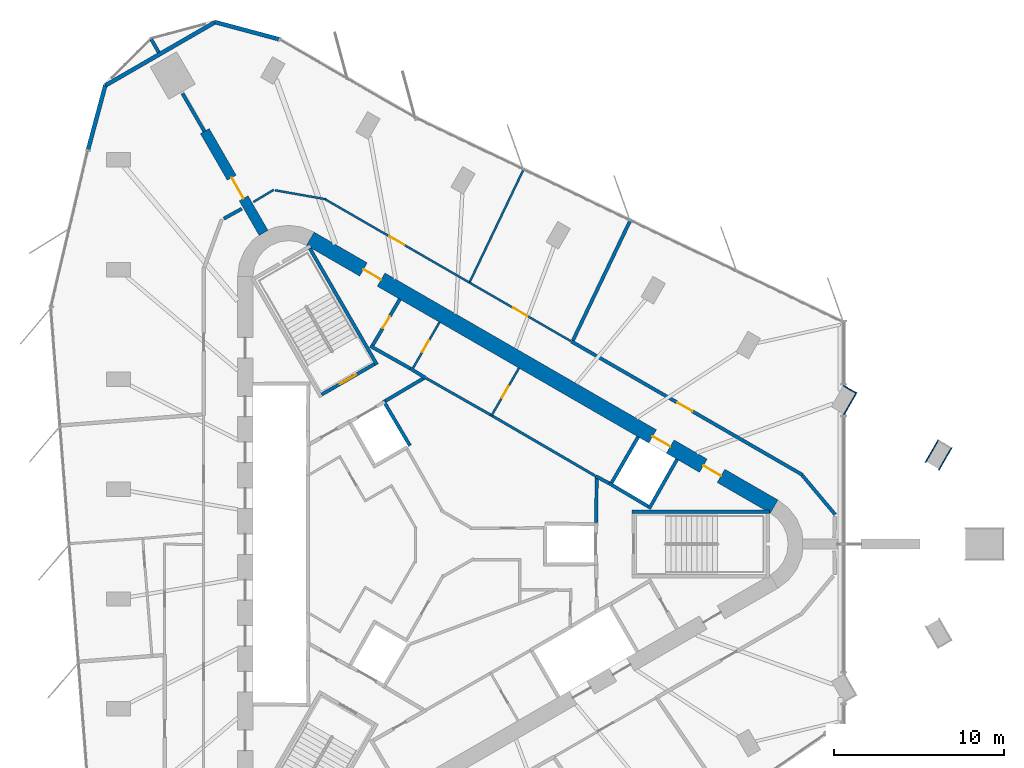
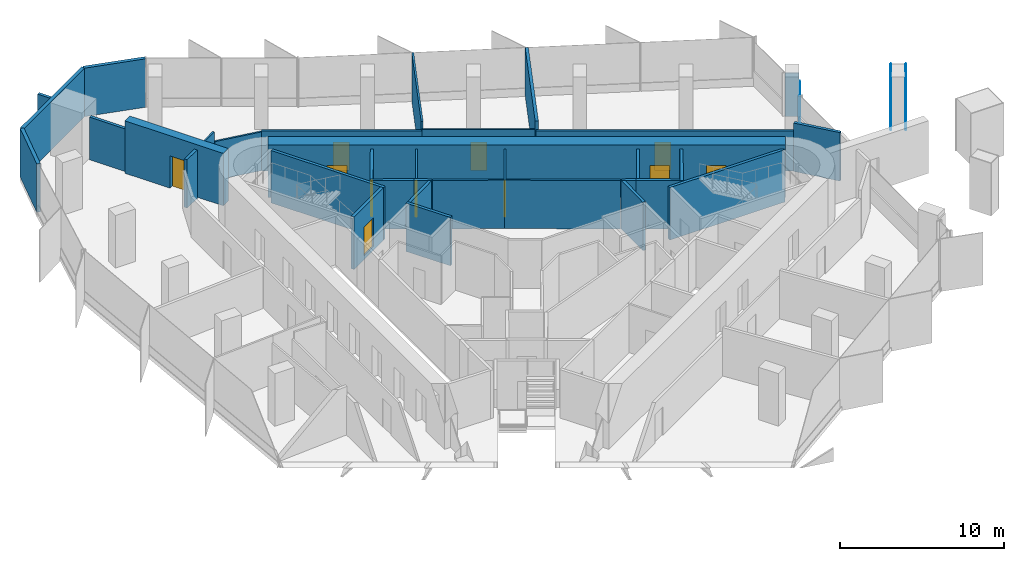
# One storey, part 10 of 12: 37 walls, 11 doors, 11 openings.
"""IFC4 building model written with IfcOpenShell, lengths in metres."""

from ifc_helpers import new_model, si_unit, direction, frame, frame_2d, origin, place, context, subcontext, project, spatial, rectangle, extrude, material, layer, layer_set, type_object, element, fill, save


model = new_model("IFC4")

# Units and contexts
model_context = context("Model", 3, precision=1e-05, world=origin(), true_north=direction((0.0, 1.0)))
body_context = subcontext(model_context, "Body", "Model", "MODEL_VIEW")
ifc_project = project(units=[si_unit("LENGTHUNIT", "METRE"), si_unit("AREAUNIT", "SQUARE_METRE"), si_unit("VOLUMEUNIT", "CUBIC_METRE"), si_unit("PLANEANGLEUNIT", "RADIAN"), si_unit("MASSUNIT", "GRAM", prefix="KILO")], contexts=[model_context])

# Site, building, storey
site_placement = place(None, origin())
site = spatial("IfcSite", under=ifc_project, at=site_placement, CompositionType="ELEMENT")
building_placement = place(site_placement, origin())
building = spatial("IfcBuilding", under=site, at=building_placement, Name="Tanit Gate Tower", CompositionType="ELEMENT")
storey_placement = place(building_placement, frame((0.0, 0.0, 376.699951171875)))
storey = spatial("IfcBuildingStorey", under=building, at=storey_placement, Name="L86", CompositionType="ELEMENT", Elevation=376.699951171875)

# Wall, opening, door
ifc_material_1 = material(Name="Concrete C40/50", Category="concrete")
ifc_layer_1 = layer(ifc_material_1, 0.60009765625)
ifc_layer_set_1 = layer_set([ifc_layer_1], Name="BUTTRESS FIN 600 C40/50")
wall_type_1 = type_object("IfcWallType", Name="BUTTRESS FIN 600 C40/50", PredefinedType="SHEAR", material=ifc_layer_set_1)
wall_1_placement = place(storey_placement, frame((-10.574951171875, 18.31640625, 0.0), z_axis=(0.0, 0.0, 1.0), x_axis=(-0.499997253739, 0.866026989333, 0.0)))
wall_1 = element("IfcWall", 1, at=wall_1_placement, inside=storey, type_object=wall_type_1, Name="BUTTRESS FIN", PredefinedType="SHEAR", context=body_context, shape_type="SweptSolid", body=[
    extrude(rectangle(XDim=6.92138671875, YDim=0.60009765625, at=frame_2d((3.460693359375, 0.0))), origin(), (0.0, 0.0, 1.0), 3.900146484375),
])
opening_1_placement = place(wall_1_placement, frame((2.35009765625, 0.0, 0.0)))
opening_1 = element("IfcOpeningElement", 2, at=opening_1_placement, cuts=wall_1, Name="Opening P14-86-F-NW-1", PredefinedType="OPENING", context=body_context, shape_type="SweptSolid", body=[
    extrude(rectangle(XDim=1.39990234375, YDim=2.39990234375, at=frame_2d((0.699951171875, 1.199951171875))), frame((0.0, 0.31005859375, 0.0), z_axis=(0.0, -1.0, 0.0), x_axis=(1.0, 0.0, 0.0)), (0.0, 0.0, 1.0), 0.6201171875),
])
ifc_material_2 = material(Name="Timber door leaf", Category="wood")
door_type_1 = type_object("IfcDoorType", Name="INT-DOOR-FIN-PAIR-1400", OperationType="NOTDEFINED", PredefinedType="NOTDEFINED", material=ifc_material_2)
door_1_placement = place(opening_1_placement, origin())
door_1 = element("IfcDoor", 3, at=door_1_placement, inside=storey, type_object=door_type_1, Name="Door P14-86-F-NW-1", OperationType="DOUBLE_DOOR_SINGLE_SWING", OverallHeight=2.39990234375, OverallWidth=1.39990234375, PredefinedType="NOTDEFINED", context=body_context, shape_type="SweptSolid", body=[
    extrude(rectangle(XDim=1.39990234375, YDim=2.39990234375, at=frame_2d((0.699951171875, 1.199951171875))), frame((0.0, 0.02490234375, 0.0), z_axis=(0.0, -1.0, 0.0), x_axis=(1.0, 0.0, 0.0)), (0.0, 0.0, 1.0), 0.050048828125),
])
fill(opening_1, door_1)

# Wall, openings, doors
ifc_material_3 = material(Name="Concrete C40/50", Category="concrete")
ifc_layer_2 = layer(ifc_material_3, 0.89990234375)
ifc_layer_set_2 = layer_set([ifc_layer_2], Name="CORE WALL 900 C40/50")
wall_type_2 = type_object("IfcWallType", Name="CORE WALL 900 C40/50", PredefinedType="SHEAR", material=ifc_layer_set_2)
wall_2_placement = place(storey_placement, frame((19.47509765625, 2.20849609375, 0.0), z_axis=(0.0, 0.0, 1.0), x_axis=(-0.866028369851, 0.499994862586, 0.0)))
wall_2 = element("IfcWall", 4, at=wall_2_placement, inside=storey, type_object=wall_type_2, Name="CORE WALL", PredefinedType="SHEAR", context=body_context, shape_type="SweptSolid", body=[
    extrude(rectangle(XDim=31.523193359375, YDim=0.89990234375, at=frame_2d((15.76171875, 0.0))), origin(), (0.0, 0.0, 1.0), 3.900146484375),
])
opening_2_placement = place(wall_2_placement, frame((7.0615234375, 0.0, 0.0)))
opening_2 = element("IfcOpeningElement", 5, at=opening_2_placement, cuts=wall_2, Name="Opening LDHL8-86", PredefinedType="OPENING", context=body_context, shape_type="SweptSolid", body=[
    extrude(rectangle(XDim=1.199951171875, YDim=2.39990234375, at=frame_2d((0.60009765625, 1.199951171875))), frame((0.0, 0.4599609375, 0.0), z_axis=(0.0, -1.0, 0.0), x_axis=(1.0, 0.0, 0.0)), (0.0, 0.0, 1.0), 0.919921875),
])
opening_3_placement = place(wall_2_placement, frame((3.611572265625, 0.0, 0.0)))
opening_3 = element("IfcOpeningElement", 6, at=opening_3_placement, cuts=wall_2, Name="Opening F12-86-FL1", PredefinedType="OPENING", context=body_context, shape_type="SweptSolid", body=[
    extrude(rectangle(XDim=1.199951171875, YDim=2.39990234375, at=frame_2d((0.60009765625, 1.199951171875))), frame((0.0, 0.4599609375, 0.0), z_axis=(0.0, -1.0, 0.0), x_axis=(1.0, 0.0, 0.0)), (0.0, 0.0, 1.0), 0.919921875),
])
opening_4_placement = place(wall_2_placement, frame((26.711669921875, 0.0, 0.0)))
opening_4 = element("IfcOpeningElement", 7, at=opening_4_placement, cuts=wall_2, Name="Opening F12-86-S2", PredefinedType="OPENING", context=body_context, shape_type="SweptSolid", body=[
    extrude(rectangle(XDim=1.199951171875, YDim=2.39990234375, at=frame_2d((0.60009765625, 1.199951171875))), frame((0.0, 0.4599609375, 0.0), z_axis=(0.0, -1.0, 0.0), x_axis=(1.0, 0.0, 0.0)), (0.0, 0.0, 1.0), 0.919921875),
])
ifc_material_4 = material(Name="Fire-rated steel door leaf", Category="steel")
door_type_2 = type_object("IfcDoorType", Name="INT-DOOR-FIRE-LOBBY-1200", OperationType="NOTDEFINED", PredefinedType="USERDEFINED", material=ifc_material_4)
door_2_placement = place(opening_3_placement, origin())
door_2 = element("IfcDoor", 8, at=door_2_placement, inside=storey, type_object=door_type_2, Name="Door F12-86-FL1", ObjectType="FIRE DOOR", OperationType="SINGLE_SWING_RIGHT", OverallHeight=2.39990234375, OverallWidth=1.199951171875, PredefinedType="USERDEFINED", context=body_context, shape_type="SweptSolid", body=[
    extrude(rectangle(XDim=1.199951171875, YDim=2.39990234375, at=frame_2d((0.60009765625, 1.199951171875))), frame((0.0, 0.02490234375, 0.0), z_axis=(0.0, -1.0, 0.0), x_axis=(1.0, 0.0, 0.0)), (0.0, 0.0, 1.0), 0.050048828125),
])
fill(opening_3, door_2)
door_3_placement = place(opening_4_placement, origin())
door_3 = element("IfcDoor", 9, at=door_3_placement, inside=storey, type_object=door_type_2, Name="Door F12-86-S2", ObjectType="FIRE DOOR", OperationType="SINGLE_SWING_LEFT", OverallHeight=2.39990234375, OverallWidth=1.199951171875, PredefinedType="USERDEFINED", context=body_context, shape_type="SweptSolid", body=[
    extrude(rectangle(XDim=1.199951171875, YDim=2.39990234375, at=frame_2d((0.60009765625, 1.199951171875))), frame((0.0, 0.02490234375, 0.0), z_axis=(0.0, -1.0, 0.0), x_axis=(1.0, 0.0, 0.0)), (0.0, 0.0, 1.0), 0.050048828125),
])
fill(opening_4, door_3)
ifc_material_5 = material(Name="Stainless steel sliding door leaf", Category="steel")
door_type_3 = type_object("IfcDoorType", Name="INT-DOOR-LANDING-1200", OperationType="NOTDEFINED", PredefinedType="USERDEFINED", material=ifc_material_5)
door_4_placement = place(opening_2_placement, origin())
door_4 = element("IfcDoor", 10, at=door_4_placement, inside=storey, type_object=door_type_3, Name="Door LDHL8-86", ObjectType="LANDING DOOR", OperationType="SLIDING_TO_LEFT", OverallHeight=2.39990234375, OverallWidth=1.199951171875, PredefinedType="USERDEFINED", context=body_context, shape_type="SweptSolid", body=[
    extrude(rectangle(XDim=1.199951171875, YDim=2.39990234375, at=frame_2d((0.60009765625, 1.199951171875))), frame((0.0, 0.02490234375, 0.0), z_axis=(0.0, -1.0, 0.0), x_axis=(1.0, 0.0, 0.0)), (0.0, 0.0, 1.0), 0.050048828125),
])
fill(opening_2, door_4)

# Walls
ifc_material_6 = material(Name="Bronze anodised aluminium cladding", Category="aluminium")
ifc_layer_3 = layer(ifc_material_6, 0.06005859375)
ifc_layer_set_3 = layer_set([ifc_layer_3], Name="Column casing bronze 60")
wall_type_3 = type_object("IfcWallType", Name="Column casing bronze 60", PredefinedType="SOLIDWALL", material=ifc_layer_set_3)
wall_3_placement = place(storey_placement, frame((28.378662109375, 4.81591796875, 0.0), z_axis=(0.0, 0.0, 1.0), x_axis=(0.500060803479, 0.865990296034, 0.0)))
element("IfcWall", 11, at=wall_3_placement, inside=storey, type_object=wall_type_3, Name="Column casing L86 P-NE1.L1", PredefinedType="SOLIDWALL", context=body_context, shape_type="SweptSolid", body=[
    extrude(rectangle(XDim=1.519775390625, YDim=0.06005859375, at=frame_2d((0.759765625, 0.0))), origin(), (0.0, 0.0, 1.0), 3.900146484375),
])
wall_4_placement = place(storey_placement, frame((29.16650390625, 4.36083984375, 0.0), z_axis=(0.0, 0.0, 1.0), x_axis=(0.499991248344, 0.866030456496, 0.0)))
element("IfcWall", 12, at=wall_4_placement, inside=storey, type_object=wall_type_3, Name="Column casing L86 P-NE1.L2", PredefinedType="SOLIDWALL", context=body_context, shape_type="SweptSolid", body=[
    extrude(rectangle(XDim=1.52001953125, YDim=0.06005859375, at=frame_2d((0.760009765625, 0.0))), origin(), (0.0, 0.0, 1.0), 3.900146484375),
])
wall_5_placement = place(storey_placement, frame((23.568603515625, 7.5927734375, 0.0), z_axis=(0.0, 0.0, 1.0), x_axis=(0.499991248344, 0.866030456496, 0.0)))
element("IfcWall", 13, at=wall_5_placement, inside=storey, type_object=wall_type_3, Name="Column casing L86 P-NE2.L2", PredefinedType="SOLIDWALL", context=body_context, shape_type="SweptSolid", body=[
    extrude(rectangle(XDim=1.52001953125, YDim=0.06005859375, at=frame_2d((0.760009765625, 0.0))), origin(), (0.0, 0.0, 1.0), 2.610107421875),
])
wall_6_placement = place(storey_placement, frame((24.287841796875, 8.898193359375, 0.0), z_axis=(0.0, 0.0, 1.0), x_axis=(-0.866061263272, 0.499937884402, 0.0)))
element("IfcWall", 14, at=wall_6_placement, inside=storey, type_object=wall_type_3, Name="Column casing L86 P-NE2.S1", PredefinedType="SOLIDWALL", context=body_context, shape_type="SweptSolid", body=[
    extrude(rectangle(XDim=0.85009765625, YDim=0.06005859375, at=frame_2d((0.425048828125, 0.0))), origin(), (0.0, 0.0, 1.0), 3.2099609375),
])
ifc_material_7 = material(Name="Concrete C30/37 with bronze anodised aluminium cladding", Category="concrete")
ifc_layer_4 = layer(ifc_material_7, 0.239990234375)
ifc_layer_set_4 = layer_set([ifc_layer_4], Name="Facade wall bronze clad 240")
wall_type_4 = type_object("IfcWallType", Name="Facade wall bronze clad 240", PredefinedType="SOLIDWALL", material=ifc_layer_set_4)
wall_7_placement = place(storey_placement, frame((-9.671875, 29.71728515625, 0.0), z_axis=(0.0, 0.0, 1.0), x_axis=(-0.965934865273, 0.2587853088, 0.0)))
element("IfcWall", 15, at=wall_7_placement, inside=storey, type_object=wall_type_4, Name="Bronze-clad facade wall L86 NW.arc1", PredefinedType="SOLIDWALL", context=body_context, shape_type="SweptSolid", body=[
    extrude(rectangle(XDim=3.884033203125, YDim=0.239990234375, at=frame_2d((1.94189453125, 0.0))), origin(), (0.0, 0.0, 1.0), 3.60009765625),
])
wall_8_placement = place(storey_placement, frame((-13.423583984375, 30.722412109375, 0.0), z_axis=(0.0, 0.0, 1.0), x_axis=(-0.866034867299, -0.499983608354, 0.0)))
element("IfcWall", 16, at=wall_8_placement, inside=storey, type_object=wall_type_4, Name="Bronze-clad facade wall L86 NW.arc2", PredefinedType="SOLIDWALL", context=body_context, shape_type="SweptSolid", body=[
    extrude(rectangle(XDim=7.471923828125, YDim=0.239990234375, at=frame_2d((3.73583984375, 0.0))), origin(), (0.0, 0.0, 1.0), 3.60009765625),
])
wall_9_placement = place(storey_placement, frame((-19.89453125, 26.986572265625, 0.0), z_axis=(0.0, 0.0, 1.0), x_axis=(-0.258843563882, -0.965919256169, 0.0)))
element("IfcWall", 17, at=wall_9_placement, inside=storey, type_object=wall_type_4, Name="Bronze-clad facade wall L86 NW.arc3", PredefinedType="SOLIDWALL", context=body_context, shape_type="SweptSolid", body=[
    extrude(rectangle(XDim=3.898193359375, YDim=0.239990234375, at=frame_2d((1.94921875, 0.0))), origin(), (0.0, 0.0, 1.0), 3.60009765625),
])
ifc_material_8 = material(Name="Fire-rated gypsum board partition")
ifc_layer_5 = layer(ifc_material_8, 0.199951171875)
ifc_layer_set_5 = layer_set([ifc_layer_5], Name="INT-WALL-COMPARTMENT")
wall_type_5 = type_object("IfcWallType", Name="INT-WALL-COMPARTMENT", PredefinedType="PARTITIONING", material=ifc_layer_set_5)
wall_10_placement = place(storey_placement, frame((8.97412109375, 3.998779296875, 0.0), z_axis=(0.0, 0.0, 1.0), x_axis=(0.880917147855, -0.473270513147, 0.0)))
element("IfcWall", 18, at=wall_10_placement, inside=storey, type_object=wall_type_5, Name="Wall Compartment W048", PredefinedType="PARTITIONING", context=body_context, shape_type="SweptSolid", body=[
    extrude(rectangle(XDim=0.8779296875, YDim=0.199951171875, at=frame_2d((0.43896484375, 0.0))), origin(), (0.0, 0.0, 1.0), 3.60009765625),
])
wall_11_placement = place(storey_placement, frame((-1.940673828125, 10.338623046875, 0.0), z_axis=(0.0, 0.0, 1.0), x_axis=(0.850216889117, -0.526432561171, 0.0)))
element("IfcWall", 19, at=wall_11_placement, inside=storey, type_object=wall_type_5, Name="Wall Compartment W051", PredefinedType="PARTITIONING", context=body_context, shape_type="SweptSolid", body=[
    extrude(rectangle(XDim=1.078369140625, YDim=0.199951171875, at=frame_2d((0.5390625, 0.0))), origin(), (0.0, 0.0, 1.0), 3.60009765625),
])
wall_12_placement = place(storey_placement, frame((-4.296142578125, 11.658935546875, 0.0), z_axis=(0.0, 0.0, 1.0), x_axis=(0.871534483978, -0.490334215854, 0.0)))
element("IfcWall", 20, at=wall_12_placement, inside=storey, type_object=wall_type_5, Name="Wall Compartment W053", PredefinedType="PARTITIONING", context=body_context, shape_type="SweptSolid", body=[
    extrude(rectangle(XDim=2.7001953125, YDim=0.199951171875, at=frame_2d((1.35009765625, 0.0))), origin(), (0.0, 0.0, 1.0), 3.60009765625),
])

# Wall, opening, door
wall_13_placement = place(storey_placement, frame((-2.557861328125, 14.409423828125, 0.0), z_axis=(0.0, 0.0, 1.0), x_axis=(-0.508018930956, -0.861345903683, 0.0)))
wall_13 = element("IfcWall", 21, at=wall_13_placement, inside=storey, type_object=wall_type_5, Name="Wall Compartment W054", PredefinedType="PARTITIONING", context=body_context, shape_type="SweptSolid", body=[
    extrude(rectangle(XDim=3.150146484375, YDim=0.199951171875, at=frame_2d((1.5751953125, 0.0))), origin(), (0.0, 0.0, 1.0), 3.60009765625),
])
opening_5_placement = place(wall_13_placement, frame((1.175048828125, 0.0, 0.0)))
opening_5 = element("IfcOpeningElement", 22, at=opening_5_placement, cuts=wall_13, Name="Opening R08-86-16", PredefinedType="OPENING", context=body_context, shape_type="SweptSolid", body=[
    extrude(rectangle(XDim=0.800048828125, YDim=2.10009765625, at=frame_2d((0.39990234375, 1.050048828125))), frame((0.0, 0.10986328125, 0.0), z_axis=(0.0, -1.0, 0.0), x_axis=(1.0, 0.0, 0.0)), (0.0, 0.0, 1.0), 0.219970703125),
])
ifc_material_9 = material(Name="Timber door leaf", Category="wood")
door_type_4 = type_object("IfcDoorType", Name="INT-DOOR-RISER-800", OperationType="NOTDEFINED", PredefinedType="USERDEFINED", material=ifc_material_9)
door_5_placement = place(opening_5_placement, origin())
door_5 = element("IfcDoor", 23, at=door_5_placement, inside=storey, type_object=door_type_4, Name="Door R08-86-16", ObjectType="FIRE DOOR", OperationType="SINGLE_SWING_RIGHT", OverallHeight=2.10009765625, OverallWidth=0.800048828125, PredefinedType="USERDEFINED", context=body_context, shape_type="SweptSolid", body=[
    extrude(rectangle(XDim=0.800048828125, YDim=2.10009765625, at=frame_2d((0.39990234375, 1.050048828125))), frame((0.0, 0.02490234375, 0.0), z_axis=(0.0, -1.0, 0.0), x_axis=(1.0, 0.0, 0.0)), (0.0, 0.0, 1.0), 0.050048828125),
])
fill(opening_5, door_5)

# Walls
wall_14_placement = place(storey_placement, frame((9.0009765625, 1.27001953125, 0.0), z_axis=(0.0, 0.0, 1.0), x_axis=(0.010747252091, 0.999942246619, 0.0)))
element("IfcWall", 24, at=wall_14_placement, inside=storey, type_object=wall_type_5, Name="Wall Compartment W062", PredefinedType="PARTITIONING", context=body_context, shape_type="SweptSolid", body=[
    extrude(rectangle(XDim=2.72607421875, YDim=0.199951171875, at=frame_2d((1.363037109375, 0.0))), origin(), (0.0, 0.0, 1.0), 3.60009765625),
])
wall_15_placement = place(storey_placement, frame((-1.054931640625, 9.818359375, 0.0), z_axis=(0.0, 0.0, 1.0), x_axis=(-0.860591104342, -0.509296525737, 0.0)))
element("IfcWall", 25, at=wall_15_placement, inside=storey, type_object=wall_type_5, Name="Wall Compartment W064", PredefinedType="PARTITIONING", context=body_context, shape_type="SweptSolid", body=[
    extrude(rectangle(XDim=2.7255859375, YDim=0.199951171875, at=frame_2d((1.36279296875, 0.0))), origin(), (0.0, 0.0, 1.0), 3.60009765625),
])
wall_16_placement = place(storey_placement, frame((-11.85791015625, 19.738525390625, 0.0), z_axis=(0.0, 0.0, 1.0), x_axis=(-0.874375812865, -0.48524935639, 0.0)))
element("IfcWall", 26, at=wall_16_placement, inside=storey, type_object=wall_type_5, Name="Wall Compartment W091", PredefinedType="PARTITIONING", context=body_context, shape_type="SweptSolid", body=[
    extrude(rectangle(XDim=1.21142578125, YDim=0.199951171875, at=frame_2d((0.605712890625, 0.0))), origin(), (0.0, 0.0, 1.0), 3.60009765625),
])
wall_17_placement = place(storey_placement, frame((-14.061767578125, 24.295654296875, 0.0), z_axis=(0.0, 0.0, 1.0), x_axis=(-0.500018234033, 0.866014876105, 0.0)))
element("IfcWall", 27, at=wall_17_placement, inside=storey, type_object=wall_type_5, Name="Wall Compartment W103", PredefinedType="PARTITIONING", context=body_context, shape_type="SweptSolid", body=[
    extrude(rectangle(XDim=2.572265625, YDim=0.199951171875, at=frame_2d((1.2861328125, 0.0))), origin(), (0.0, 0.0, 1.0), 3.170166015625),
])
wall_18_placement = place(storey_placement, frame((-16.7451171875, 28.943359375, 0.0), z_axis=(0.0, 0.0, 1.0), x_axis=(-0.499988720078, 0.866031916153, 0.0)))
element("IfcWall", 28, at=wall_18_placement, inside=storey, type_object=wall_type_5, Name="Wall Compartment W102", PredefinedType="PARTITIONING", context=body_context, shape_type="SweptSolid", body=[
    extrude(rectangle(XDim=0.873046875, YDim=0.199951171875, at=frame_2d((0.4365234375, 0.0))), origin(), (0.0, 0.0, 1.0), 3.60009765625),
])

# Wall, opening, door
wall_19_placement = place(storey_placement, frame((21.16064453125, 4.064208984375, 0.0), z_axis=(0.0, 0.0, 1.0), x_axis=(-0.866029218834, 0.499993392081, 0.0)))
wall_19 = element("IfcWall", 29, at=wall_19_placement, inside=storey, type_object=wall_type_5, Name="Wall Compartment W111", PredefinedType="PARTITIONING", context=body_context, shape_type="SweptSolid", body=[
    extrude(rectangle(XDim=15.730224609375, YDim=0.199951171875, at=frame_2d((7.865234375, 0.0))), origin(), (0.0, 0.0, 1.0), 2.969970703125),
])
opening_6_placement = place(wall_19_placement, frame((7.5, 0.0, 0.0)))
opening_6 = element("IfcOpeningElement", 30, at=opening_6_placement, cuts=wall_19, Name="Opening F10-86-24", PredefinedType="OPENING", context=body_context, shape_type="SweptSolid", body=[
    extrude(rectangle(XDim=1.0, YDim=2.10009765625, at=frame_2d((0.5, 1.050048828125))), frame((0.0, 0.10986328125, 0.0), z_axis=(0.0, -1.0, 0.0), x_axis=(1.0, 0.0, 0.0)), (0.0, 0.0, 1.0), 0.219970703125),
])
ifc_material_10 = material(Name="Fire-rated steel door leaf", Category="steel")
door_type_5 = type_object("IfcDoorType", Name="INT-DOOR-FIRE-1000", OperationType="NOTDEFINED", PredefinedType="USERDEFINED", material=ifc_material_10)
door_6_placement = place(opening_6_placement, origin())
door_6 = element("IfcDoor", 31, at=door_6_placement, inside=storey, type_object=door_type_5, Name="Door F10-86-24", ObjectType="FIRE DOOR", OperationType="SINGLE_SWING_LEFT", OverallHeight=2.10009765625, OverallWidth=1.0, PredefinedType="USERDEFINED", context=body_context, shape_type="SweptSolid", body=[
    extrude(rectangle(XDim=1.0, YDim=2.10009765625, at=frame_2d((0.5, 1.050048828125))), frame((0.0, 0.02490234375, 0.0), z_axis=(0.0, -1.0, 0.0), x_axis=(1.0, 0.0, 0.0)), (0.0, 0.0, 1.0), 0.050048828125),
])
fill(opening_6, door_6)

# Walls
wall_20_placement = place(storey_placement, frame((23.0703125, 1.7353515625, 0.0), z_axis=(0.0, 0.0, 1.0), x_axis=(-0.642801456619, 0.76603282395, 0.0)))
element("IfcWall", 32, at=wall_20_placement, inside=storey, type_object=wall_type_5, Name="Wall Compartment W112", PredefinedType="PARTITIONING", context=body_context, shape_type="SweptSolid", body=[
    extrude(rectangle(XDim=3.00537109375, YDim=0.199951171875, at=frame_2d((1.502685546875, 0.0))), origin(), (0.0, 0.0, 1.0), 3.60009765625),
])
wall_21_placement = place(storey_placement, frame((11.0068359375, 19.048828125, 0.0), z_axis=(0.0, 0.0, 1.0), x_axis=(-0.431190476359, -0.902260922958, 0.0)))
element("IfcWall", 33, at=wall_21_placement, inside=storey, type_object=wall_type_5, Name="Wall Compartment W118", PredefinedType="PARTITIONING", context=body_context, shape_type="SweptSolid", body=[
    extrude(rectangle(XDim=7.82373046875, YDim=0.199951171875, at=frame_2d((3.911865234375, 0.0))), origin(), (0.0, 0.0, 1.0), 3.60009765625),
])

# Wall, opening, door
ifc_material_11 = material(Name="Gypsum board partition")
ifc_layer_6 = layer(ifc_material_11, 0.1201171875)
ifc_layer_set_6 = layer_set([ifc_layer_6], Name="INT-WALL-PARTITION")
wall_type_6 = type_object("IfcWallType", Name="INT-WALL-PARTITION", PredefinedType="PARTITIONING", material=ifc_layer_set_6)
wall_22_placement = place(storey_placement, frame((4.456787109375, 10.359375, 0.0), z_axis=(0.0, 0.0, 1.0), x_axis=(-0.500017246033, -0.866015446554, 0.0)))
wall_22 = element("IfcWall", 34, at=wall_22_placement, inside=storey, type_object=wall_type_6, Name="Wall Partition W047", PredefinedType="PARTITIONING", context=body_context, shape_type="SweptSolid", body=[
    extrude(rectangle(XDim=3.25, YDim=0.1201171875, at=frame_2d((1.625, 0.0))), origin(), (0.0, 0.0, 1.0), 3.60009765625),
])
opening_7_placement = place(wall_22_placement, frame((1.22509765625, 0.0, 0.0)))
opening_7 = element("IfcOpeningElement", 35, at=opening_7_placement, cuts=wall_22, Name="Opening R08-86-14", PredefinedType="OPENING", context=body_context, shape_type="SweptSolid", body=[
    extrude(rectangle(XDim=0.800048828125, YDim=2.10009765625, at=frame_2d((0.39990234375, 1.050048828125))), frame((0.0, 0.070068359375, 0.0), z_axis=(0.0, -1.0, 0.0), x_axis=(1.0, 0.0, 0.0)), (0.0, 0.0, 1.0), 0.14013671875),
])
door_7_placement = place(opening_7_placement, origin())
door_7 = element("IfcDoor", 36, at=door_7_placement, inside=storey, type_object=door_type_4, Name="Door R08-86-14", ObjectType="FIRE DOOR", OperationType="SINGLE_SWING_RIGHT", OverallHeight=2.10009765625, OverallWidth=0.800048828125, PredefinedType="USERDEFINED", context=body_context, shape_type="SweptSolid", body=[
    extrude(rectangle(XDim=0.800048828125, YDim=2.10009765625, at=frame_2d((0.39990234375, 1.050048828125))), frame((0.0, 0.02490234375, 0.0), z_axis=(0.0, -1.0, 0.0), x_axis=(1.0, 0.0, 0.0)), (0.0, 0.0, 1.0), 0.050048828125),
])
fill(opening_7, door_7)

wall_23_placement = place(storey_placement, frame((-0.2197265625, 13.0595703125, 0.0), z_axis=(0.0, 0.0, 1.0), x_axis=(-0.499984717929, -0.866034226713, 0.0)))
wall_23 = element("IfcWall", 37, at=wall_23_placement, inside=storey, type_object=wall_type_6, Name="Wall Partition W050", PredefinedType="PARTITIONING", context=body_context, shape_type="SweptSolid", body=[
    extrude(rectangle(XDim=3.25, YDim=0.1201171875, at=frame_2d((1.625, 0.0))), origin(), (0.0, 0.0, 1.0), 3.60009765625),
])
opening_8_placement = place(wall_23_placement, frame((1.22509765625, 0.0, 0.0)))
opening_8 = element("IfcOpeningElement", 38, at=opening_8_placement, cuts=wall_23, Name="Opening R08-86-15", PredefinedType="OPENING", context=body_context, shape_type="SweptSolid", body=[
    extrude(rectangle(XDim=0.800048828125, YDim=2.10009765625, at=frame_2d((0.39990234375, 1.050048828125))), frame((0.0, 0.070068359375, 0.0), z_axis=(0.0, -1.0, 0.0), x_axis=(1.0, 0.0, 0.0)), (0.0, 0.0, 1.0), 0.14013671875),
])
door_8_placement = place(opening_8_placement, origin())
door_8 = element("IfcDoor", 39, at=door_8_placement, inside=storey, type_object=door_type_4, Name="Door R08-86-15", ObjectType="FIRE DOOR", OperationType="SINGLE_SWING_RIGHT", OverallHeight=2.10009765625, OverallWidth=0.800048828125, PredefinedType="USERDEFINED", context=body_context, shape_type="SweptSolid", body=[
    extrude(rectangle(XDim=0.800048828125, YDim=2.10009765625, at=frame_2d((0.39990234375, 1.050048828125))), frame((0.0, 0.02490234375, 0.0), z_axis=(0.0, -1.0, 0.0), x_axis=(1.0, 0.0, 0.0)), (0.0, 0.0, 1.0), 0.050048828125),
])
fill(opening_8, door_8)

wall_24_placement = place(storey_placement, frame((7.503173828125, 11.949462890625, 0.0), z_axis=(0.0, 0.0, 1.0), x_axis=(-0.866027248379, 0.499996805055, 0.0)))
wall_24 = element("IfcWall", 40, at=wall_24_placement, inside=storey, type_object=wall_type_6, Name="Wall Partition W114", PredefinedType="PARTITIONING", context=body_context, shape_type="SweptSolid", body=[
    extrude(rectangle(XDim=6.88134765625, YDim=0.1201171875, at=frame_2d((3.440673828125, 0.0))), origin(), (0.0, 0.0, 1.0), 3.070068359375),
])
opening_9_placement = place(wall_24_placement, frame((2.931884765625, 0.0, 0.0)))
opening_9 = element("IfcOpeningElement", 41, at=opening_9_placement, cuts=wall_24, Name="Opening D10-86-25", PredefinedType="OPENING", context=body_context, shape_type="SweptSolid", body=[
    extrude(rectangle(XDim=1.0, YDim=2.10009765625, at=frame_2d((0.5, 1.050048828125))), frame((0.0, 0.070068359375, 0.0), z_axis=(0.0, -1.0, 0.0), x_axis=(1.0, 0.0, 0.0)), (0.0, 0.0, 1.0), 0.14013671875),
])
ifc_material_12 = material(Name="Timber door leaf", Category="wood")
door_type_6 = type_object("IfcDoorType", Name="INT-DOOR-SINGLE-1000", OperationType="NOTDEFINED", PredefinedType="NOTDEFINED", material=ifc_material_12)
door_9_placement = place(opening_9_placement, origin())
door_9 = element("IfcDoor", 42, at=door_9_placement, inside=storey, type_object=door_type_6, Name="Door D10-86-25", OperationType="SINGLE_SWING_LEFT", OverallHeight=2.10009765625, OverallWidth=1.0, PredefinedType="NOTDEFINED", context=body_context, shape_type="SweptSolid", body=[
    extrude(rectangle(XDim=1.0, YDim=2.10009765625, at=frame_2d((0.5, 1.050048828125))), frame((0.0, 0.02490234375, 0.0), z_axis=(0.0, -1.0, 0.0), x_axis=(1.0, 0.0, 0.0)), (0.0, 0.0, 1.0), 0.050048828125),
])
fill(opening_9, door_9)

wall_25_placement = place(storey_placement, frame((1.543701171875, 15.39013671875, 0.0), z_axis=(0.0, 0.0, 1.0), x_axis=(-0.866027544323, 0.49999629246, 0.0)))
wall_25 = element("IfcWall", 43, at=wall_25_placement, inside=storey, type_object=wall_type_6, Name="Wall Partition W117", PredefinedType="PARTITIONING", context=body_context, shape_type="SweptSolid", body=[
    extrude(rectangle(XDim=9.775390625, YDim=0.1201171875, at=frame_2d((4.8876953125, 0.0))), origin(), (0.0, 0.0, 1.0), 2.969970703125),
])
opening_10_placement = place(wall_25_placement, frame((4.434814453125, 0.0, 0.0)))
opening_10 = element("IfcOpeningElement", 44, at=opening_10_placement, cuts=wall_25, Name="Opening D10-86-26", PredefinedType="OPENING", context=body_context, shape_type="SweptSolid", body=[
    extrude(rectangle(XDim=1.0, YDim=2.10009765625, at=frame_2d((0.5, 1.050048828125))), frame((0.0, 0.070068359375, 0.0), z_axis=(0.0, -1.0, 0.0), x_axis=(1.0, 0.0, 0.0)), (0.0, 0.0, 1.0), 0.14013671875),
])
door_10_placement = place(opening_10_placement, origin())
door_10 = element("IfcDoor", 45, at=door_10_placement, inside=storey, type_object=door_type_6, Name="Door D10-86-26", OperationType="SINGLE_SWING_RIGHT", OverallHeight=2.10009765625, OverallWidth=1.0, PredefinedType="NOTDEFINED", context=body_context, shape_type="SweptSolid", body=[
    extrude(rectangle(XDim=1.0, YDim=2.10009765625, at=frame_2d((0.5, 1.050048828125))), frame((0.0, 0.02490234375, 0.0), z_axis=(0.0, -1.0, 0.0), x_axis=(1.0, 0.0, 0.0)), (0.0, 0.0, 1.0), 0.050048828125),
])
fill(opening_10, door_10)

# Walls
wall_26_placement = place(storey_placement, frame((-9.976318359375, 20.85205078125, 0.0), z_axis=(0.0, 0.0, 1.0), x_axis=(-0.857368603838, -0.514702901831, 0.0)))
element("IfcWall", 46, at=wall_26_placement, inside=storey, type_object=wall_type_6, Name="Wall Partition W115", PredefinedType="PARTITIONING", context=body_context, shape_type="SweptSolid", body=[
    extrude(rectangle(XDim=1.386474609375, YDim=0.1201171875, at=frame_2d((0.693359375, 0.0))), origin(), (0.0, 0.0, 1.0), 3.60009765625),
])
wall_27_placement = place(storey_placement, frame((-6.9150390625, 20.29736328125, 0.0), z_axis=(0.0, 0.0, 1.0), x_axis=(-0.984805404408, 0.173661496736, 0.0)))
element("IfcWall", 47, at=wall_27_placement, inside=storey, type_object=wall_type_6, Name="Wall Partition W116", PredefinedType="PARTITIONING", context=body_context, shape_type="SweptSolid", body=[
    extrude(rectangle(XDim=3.03662109375, YDim=0.1201171875, at=frame_2d((1.518310546875, 0.0))), origin(), (0.0, 0.0, 1.0), 2.880126953125),
])
wall_28_placement = place(storey_placement, frame((1.567626953125, 15.445556640625, 0.0), z_axis=(0.0, 0.0, 1.0), x_axis=(0.431215944758, 0.902248751169, 0.0)))
element("IfcWall", 48, at=wall_28_placement, inside=storey, type_object=wall_type_6, Name="Wall Partition W119", PredefinedType="PARTITIONING", context=body_context, shape_type="SweptSolid", body=[
    extrude(rectangle(XDim=7.321044921875, YDim=0.1201171875, at=frame_2d((3.66064453125, 0.0))), origin(), (0.0, 0.0, 1.0), 3.60009765625),
])
ifc_material_13 = material(Name="Fire-rated gypsum board partition")
ifc_layer_7 = layer(ifc_material_13, 0.14990234375)
ifc_layer_set_7 = layer_set([ifc_layer_7], Name="INT-WALL-RISER")
wall_type_7 = type_object("IfcWallType", Name="INT-WALL-RISER", PredefinedType="PLUMBINGWALL", material=ifc_layer_set_7)
wall_29_placement = place(storey_placement, frame((8.9306640625, 4.0244140625, 0.0), z_axis=(0.0, 0.0, 1.0), x_axis=(-0.863936620311, 0.50360055211, 0.0)))
element("IfcWall", 49, at=wall_29_placement, inside=storey, type_object=wall_type_7, Name="Wall Riser W049", PredefinedType="PLUMBINGWALL", context=body_context, shape_type="SweptSolid", body=[
    extrude(rectangle(XDim=7.072021484375, YDim=0.14990234375, at=frame_2d((3.5361328125, 0.0))), origin(), (0.0, 0.0, 1.0), 3.60009765625),
])
wall_30_placement = place(storey_placement, frame((2.82080078125, 7.5859375, 0.0), z_axis=(0.0, 0.0, 1.0), x_axis=(-0.869333872947, 0.494225269839, 0.0)))
element("IfcWall", 50, at=wall_30_placement, inside=storey, type_object=wall_type_7, Name="Wall Riser W052", PredefinedType="PLUMBINGWALL", context=body_context, shape_type="SweptSolid", body=[
    extrude(rectangle(XDim=4.371826171875, YDim=0.14990234375, at=frame_2d((2.18603515625, 0.0))), origin(), (0.0, 0.0, 1.0), 3.60009765625),
])
ifc_material_14 = material(Name="Gypsum shaft wall system")
ifc_layer_8 = layer(ifc_material_14, 0.199951171875)
ifc_layer_set_8 = layer_set([ifc_layer_8], Name="INT-WALL-SHAFT")
wall_type_8 = type_object("IfcWallType", Name="INT-WALL-SHAFT", PredefinedType="PLUMBINGWALL", material=ifc_layer_set_8)
wall_31_placement = place(storey_placement, frame((9.8466796875, 3.494873046875, 0.0), z_axis=(0.0, 0.0, 1.0), x_axis=(0.499984717929, 0.866034226713, 0.0)))
element("IfcWall", 51, at=wall_31_placement, inside=storey, type_object=wall_type_8, Name="Wall Shaft W012", PredefinedType="PLUMBINGWALL", context=body_context, shape_type="SweptSolid", body=[
    extrude(rectangle(XDim=3.25, YDim=0.199951171875, at=frame_2d((1.625, 0.0))), origin(), (0.0, 0.0, 1.0), 3.60009765625),
])
wall_32_placement = place(storey_placement, frame((12.10986328125, 2.07275390625, 0.0), z_axis=(0.0, 0.0, 1.0), x_axis=(0.49196600604, 0.870614408852, 0.0)))
element("IfcWall", 52, at=wall_32_placement, inside=storey, type_object=wall_type_8, Name="Wall Shaft W013", PredefinedType="PLUMBINGWALL", context=body_context, shape_type="SweptSolid", body=[
    extrude(rectangle(XDim=3.35009765625, YDim=0.199951171875, at=frame_2d((1.675048828125, 0.0))), origin(), (0.0, 0.0, 1.0), 3.60009765625),
])
wall_33_placement = place(storey_placement, frame((12.072998046875, 2.2109375, 0.0), z_axis=(0.0, 0.0, 1.0), x_axis=(-0.860414880418, 0.509594185166, 0.0)))
element("IfcWall", 53, at=wall_33_placement, inside=storey, type_object=wall_type_8, Name="Wall Shaft W014", PredefinedType="PLUMBINGWALL", context=body_context, shape_type="SweptSolid", body=[
    extrude(rectangle(XDim=2.7001953125, YDim=0.199951171875, at=frame_2d((1.35009765625, 0.0))), origin(), (0.0, 0.0, 1.0), 3.60009765625),
])
wall_34_placement = place(storey_placement, frame((-3.53759765625, 8.46533203125, 0.0), z_axis=(0.0, 0.0, 1.0), x_axis=(0.508647062354, -0.860975125052, 0.0)))
element("IfcWall", 54, at=wall_34_placement, inside=storey, type_object=wall_type_8, Name="Wall Shaft W035", PredefinedType="PLUMBINGWALL", context=body_context, shape_type="SweptSolid", body=[
    extrude(rectangle(XDim=3.10009765625, YDim=0.199951171875, at=frame_2d((1.550048828125, 0.0))), origin(), (0.0, 0.0, 1.0), 3.60009765625),
])
ifc_material_15 = material(Name="Concrete C40/50", Category="concrete")
ifc_layer_9 = layer(ifc_material_15, 0.199951171875)
ifc_layer_set_9 = layer_set([ifc_layer_9], Name="INT-WALL-STAIR")
wall_type_9 = type_object("IfcWallType", Name="INT-WALL-STAIR", PredefinedType="SHEAR", material=ifc_layer_set_9)
wall_35_placement = place(storey_placement, frame((19.199951171875, 1.89990234375, -0.300048828125), z_axis=(0.0, 0.0, 1.0), x_axis=(-1.0, 0.0, 0.0)))
element("IfcWall", 55, at=wall_35_placement, inside=storey, type_object=wall_type_9, Name="Wall Stair W020", PredefinedType="SHEAR", context=body_context, shape_type="SweptSolid", body=[
    extrude(rectangle(XDim=8.099853515625, YDim=0.199951171875, at=frame_2d((4.0498046875, 0.0))), origin(), (0.0, 0.0, 1.0), 3.900146484375),
])
wall_36_placement = place(storey_placement, frame((-7.8544921875, 17.404541015625, -0.300048828125), z_axis=(0.0, 0.0, 1.0), x_axis=(0.499997992926, -0.866026562566, 0.0)))
element("IfcWall", 56, at=wall_36_placement, inside=storey, type_object=wall_type_9, Name="Wall Stair W032", PredefinedType="SHEAR", context=body_context, shape_type="SweptSolid", body=[
    extrude(rectangle(XDim=7.89990234375, YDim=0.199951171875, at=frame_2d((3.949951171875, 0.0))), origin(), (0.0, 0.0, 1.0), 3.900146484375),
])

# Wall, opening, door
wall_37_placement = place(storey_placement, frame((-7.158935546875, 8.799560546875, -0.300048828125), z_axis=(0.0, 0.0, 1.0), x_axis=(0.866047807691, 0.499961193289, 0.0)))
wall_37 = element("IfcWall", 57, at=wall_37_placement, inside=storey, type_object=wall_type_9, Name="Wall Stair W033", PredefinedType="SHEAR", context=body_context, shape_type="SweptSolid", body=[
    extrude(rectangle(XDim=3.599853515625, YDim=0.199951171875, at=frame_2d((1.7998046875, 0.0))), origin(), (0.0, 0.0, 1.0), 3.900146484375),
])
opening_11_placement = place(wall_37_placement, frame((1.25, 0.0, 0.300048828125)))
opening_11 = element("IfcOpeningElement", 58, at=opening_11_placement, cuts=wall_37, Name="Opening S11-86-04", PredefinedType="OPENING", context=body_context, shape_type="SweptSolid", body=[
    extrude(rectangle(XDim=1.10009765625, YDim=2.10009765625, at=frame_2d((0.550048828125, 1.050048828125))), frame((0.0, 0.10986328125, 0.0), z_axis=(0.0, -1.0, 0.0), x_axis=(1.0, 0.0, 0.0)), (0.0, 0.0, 1.0), 0.219970703125),
])
ifc_material_16 = material(Name="Timber door leaf", Category="wood")
door_type_7 = type_object("IfcDoorType", Name="INT-DOOR-STAIR-1100", OperationType="NOTDEFINED", PredefinedType="USERDEFINED", material=ifc_material_16)
door_11_placement = place(opening_11_placement, origin())
door_11 = element("IfcDoor", 59, at=door_11_placement, inside=storey, type_object=door_type_7, Name="Door S11-86-04", ObjectType="FIRE DOOR", OperationType="SINGLE_SWING_LEFT", OverallHeight=2.10009765625, OverallWidth=1.10009765625, PredefinedType="USERDEFINED", context=body_context, shape_type="SweptSolid", body=[
    extrude(rectangle(XDim=1.10009765625, YDim=2.10009765625, at=frame_2d((0.550048828125, 1.050048828125))), frame((0.0, 0.02490234375, 0.0), z_axis=(0.0, -1.0, 0.0), x_axis=(1.0, 0.0, 0.0)), (0.0, 0.0, 1.0), 0.050048828125),
])
fill(opening_11, door_11)

save(model, "model.ifc")
